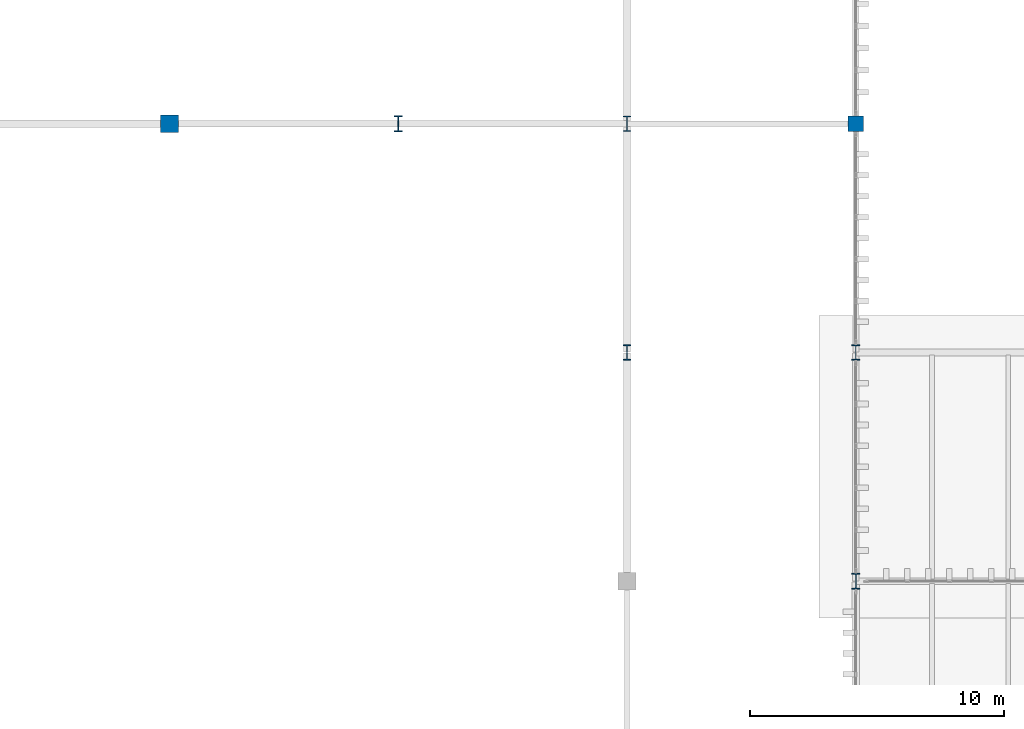
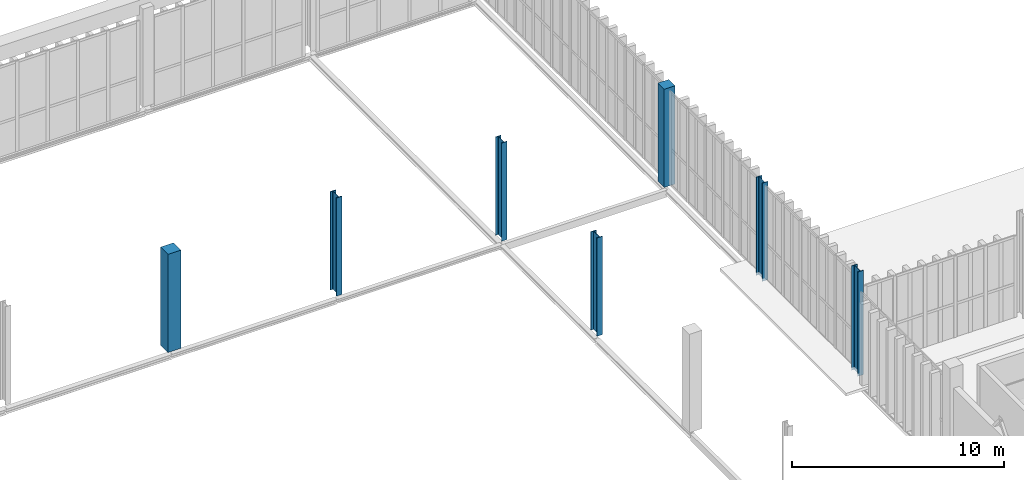
# One storey, part 12 of 237: 7 columns.
"""IFC4 building model written with IfcOpenShell, lengths in metres."""

import ifcopenshell
import ifcopenshell.guid

model = None  # the IFC model being written
_history = None  # IfcOwnerHistory: only IFC2X3 demands one
_inside = {}  # id of a spatial element -> (the spatial element, [elements in it])
_under = {}  # id of a project, library or spatial element -> (it, [spatial elements below it])
_declared = {}  # id of a project -> (the project, [libraries it declares])
_typed = {}  # id of a type object -> (the type object, [elements of that type])
_made_of = {}  # id of a material, layer set ... -> (it, [elements and type objects made of it])


def new_model(schema):
    """Start an empty IFC model of exactly this schema.

    Asked for "IFC4X3", IfcOpenShell would pick the latest addendum, in which some entities
    have other attributes; the version numbers below select the first issue.
    IFC2X3 requires an IfcOwnerHistory on every rooted entity: one is made here for all.
    """
    global model, _history
    if schema == "IFC4X3":
        model = ifcopenshell.file(schema_version=(4, 3, 0, 0))
    else:
        model = ifcopenshell.file(schema=schema)
    _inside.clear()
    _under.clear()
    _declared.clear()
    _typed.clear()
    _made_of.clear()
    _history = None
    if model.schema == "IFC2X3":
        org = make("IfcOrganization", Name="unknown")
        user = make(
            "IfcPersonAndOrganization",
            ThePerson=make("IfcPerson", FamilyName="unknown"),
            TheOrganization=org,
        )
        app = make(
            "IfcApplication",
            ApplicationDeveloper=org,
            Version="unknown",
            ApplicationFullName="unknown",
            ApplicationIdentifier="unknown",
        )
        _history = make(
            "IfcOwnerHistory",
            OwningUser=user,
            OwningApplication=app,
            ChangeAction="ADDED",
            CreationDate=0,
        )
    return model


def make(cls, **values):
    """One entity of the class cls with the attributes given. An attribute that is None is left unset."""
    return model.create_entity(
        cls, **{name: value for name, value in values.items() if value is not None}
    )


def rooted(cls, **values):
    """An entity with a GlobalId (a new one), such as an element, a storey or a relation."""
    return make(cls, GlobalId=ifcopenshell.guid.new(), OwnerHistory=_history, **values)


def si_unit(unit_type, name, prefix=None):
    """IfcSIUnit, for example si_unit("LENGTHUNIT", "METRE", prefix="MILLI")."""
    return make("IfcSIUnit", UnitType=unit_type, Prefix=prefix, Name=name)


def assignment(units):
    """IfcUnitAssignment: the units of a project."""
    return None if units is None else make("IfcUnitAssignment", Units=units)


def point(xyz):
    """IfcCartesianPoint."""
    return None if xyz is None else make("IfcCartesianPoint", Coordinates=xyz)


def direction(xyz):
    """IfcDirection."""
    return None if xyz is None else make("IfcDirection", DirectionRatios=xyz)


def frame(location, z_axis=None, x_axis=None):
    """IfcAxis2Placement3D, a coordinate frame: its origin and axes. An axis left out is left unset."""
    return make(
        "IfcAxis2Placement3D",
        Location=point(location),
        Axis=direction(z_axis),
        RefDirection=direction(x_axis),
    )


def frame_2d(location, x_axis=None):
    """IfcAxis2Placement2D, a coordinate frame in the plane: its origin and x axis."""
    return make(
        "IfcAxis2Placement2D", Location=point(location), RefDirection=direction(x_axis)
    )


def origin():
    """The frame at (0, 0, 0) with its axes left unset."""
    return frame((0.0, 0.0, 0.0))


def origin_2d():
    """The frame at (0, 0) in the plane with its x axis left unset."""
    return frame_2d((0.0, 0.0))


def place(relative_to, where):
    """IfcLocalPlacement: puts the frame where relative to a parent placement (None: the world)."""
    return make(
        "IfcLocalPlacement", PlacementRelTo=relative_to, RelativePlacement=where
    )


def context(
    kind, dimensions, precision=None, world=None, true_north=None, identifier=None
):
    """IfcGeometricRepresentationContext, for example the 3D "Model" context."""
    return make(
        "IfcGeometricRepresentationContext",
        ContextIdentifier=identifier,
        ContextType=kind,
        CoordinateSpaceDimension=dimensions,
        Precision=precision,
        WorldCoordinateSystem=world,
        TrueNorth=true_north,
    )


def subcontext(parent, identifier, kind, view, scale=None):
    """IfcGeometricRepresentationSubContext, for example "Body" below "Model"."""
    return make(
        "IfcGeometricRepresentationSubContext",
        ContextIdentifier=identifier,
        ContextType=kind,
        ParentContext=parent,
        TargetScale=scale,
        TargetView=view,
    )


def project(units=None, contexts=None):
    """IfcProject with its units and contexts."""
    return rooted(
        "IfcProject",
        Name="project",
        RepresentationContexts=contexts,
        UnitsInContext=assignment(units),
    )


def spatial(cls, under=None, at=None, **own):
    """A site, building, storey or space (cls), placed at a placement, below another one or the project."""
    s = rooted(cls, ObjectPlacement=at, **own)
    if under is not None:
        _under.setdefault(under.id(), (under, []))[1].append(s)
    return s


def profile(cls, at=None, kind="AREA", **sizes):
    """A parametric profile (cls). Its sizes go by their IFC names, for example OverallWidth=200.0."""
    return make(cls, ProfileType=kind, Position=at, **sizes)


def rectangle(**sizes):
    """IfcRectangleProfileDef."""
    return profile("IfcRectangleProfileDef", **sizes)


def i_section(**sizes):
    """IfcIShapeProfileDef."""
    return profile("IfcIShapeProfileDef", **sizes)


def extrude(swept, where, along, depth):
    """IfcExtrudedAreaSolid: the profile swept, set in the frame where, extruded along a direction by depth."""
    return make(
        "IfcExtrudedAreaSolid",
        SweptArea=swept,
        Position=where,
        ExtrudedDirection=direction(along),
        Depth=depth,
    )


def shape(context_of_items, identifier, shape_type, items):
    """IfcShapeRepresentation: the items that make up one representation, for example the "Body"."""
    return make(
        "IfcShapeRepresentation",
        ContextOfItems=context_of_items,
        RepresentationIdentifier=identifier,
        RepresentationType=shape_type,
        Items=items,
    )


def material(Name=None, Category=None):
    """IfcMaterial."""
    return make("IfcMaterial", Name=Name, Category=Category)


def material_profile(
    of_material, cross_section, Name=None, Category=None, Priority=None
):
    """IfcMaterialProfile: a cross section and its material."""
    return make(
        "IfcMaterialProfile",
        Name=Name,
        Material=of_material,
        Profile=cross_section,
        Priority=Priority,
        Category=Category,
    )


def profile_set(profiles, Name=None, composite=None):
    """IfcMaterialProfileSet."""
    return make(
        "IfcMaterialProfileSet",
        Name=Name,
        MaterialProfiles=profiles,
        CompositeProfile=composite,
    )


def made_of(thing, what):
    """Note that an element or type object is made of a material, layer set ...; save() writes the relation."""
    if what is not None:
        _made_of.setdefault(what.id(), (what, []))[1].append(thing)
    return thing


def type_object(cls, material=None, **own):
    """A type object (cls), such as IfcWallType, which elements share."""
    return made_of(rooted(cls, **own), material)


def element(
    cls,
    number,
    at=None,
    inside=None,
    cuts=None,
    type_object=None,
    material=None,
    context=None,
    identifier="Body",
    shape_type=None,
    held_by="IfcProductDefinitionShape",
    body=None,
    shapes=None,
    **own,
):
    """One element of the class cls, such as IfcWall. Its Tag is "e" and its number.

    at: its placement. inside: the storey or other place that contains it. cuts: it is an
    opening in that element (IfcRelVoidsElement). A single representation is given by context,
    identifier, shape_type and body (its items); several are given by shapes. held_by: the class
    of the entity that holds the representations. save() writes the other relations.
    """
    e = rooted(cls, Tag="e%d" % number, ObjectPlacement=at, **own)
    if body is not None:
        shapes = [shape(context, identifier, shape_type, body)]
    if shapes is not None:
        e.Representation = make(held_by, Representations=shapes)
    if inside is not None:
        _inside.setdefault(inside.id(), (inside, []))[1].append(e)
    if cuts is not None:
        rooted(
            "IfcRelVoidsElement", RelatingBuildingElement=cuts, RelatedOpeningElement=e
        )
    if type_object is not None:
        _typed.setdefault(type_object.id(), (type_object, []))[1].append(e)
    return made_of(e, material)


def aggregate(whole, parts):
    """IfcRelAggregates: a whole, such as a stair, and the parts it consists of."""
    return rooted("IfcRelAggregates", RelatingObject=whole, RelatedObjects=parts)


def save(model, path):
    """Write the relations noted so far, then the file.

    IfcRelAggregates (storeys below a building ...), IfcRelContainedInSpatialStructure (elements
    in a storey), IfcRelDefinesByType, IfcRelAssociatesMaterial and IfcRelDeclares: one each for
    every whole, place, type object, material and project.
    """
    for whole, parts in _under.values():
        aggregate(whole, parts)
    for where, things in _inside.values():
        rooted(
            "IfcRelContainedInSpatialStructure",
            RelatedElements=things,
            RelatingStructure=where,
        )
    for kind, things in _typed.values():
        rooted("IfcRelDefinesByType", RelatedObjects=things, RelatingType=kind)
    for what, things in _made_of.values():
        rooted("IfcRelAssociatesMaterial", RelatedObjects=things, RelatingMaterial=what)
    for by, libraries in _declared.values():
        rooted("IfcRelDeclares", RelatingContext=by, RelatedDefinitions=libraries)
    model.write(path)


model = new_model("IFC4")

# Units and contexts
model_context = context("Model", 3, precision=1e-05, world=origin(), true_north=direction((0.0, 1.0)))
body_context = subcontext(model_context, "Body", "Model", "MODEL_VIEW")
ifc_project = project(units=[si_unit("LENGTHUNIT", "METRE"), si_unit("AREAUNIT", "SQUARE_METRE"), si_unit("VOLUMEUNIT", "CUBIC_METRE"), si_unit("PLANEANGLEUNIT", "RADIAN"), si_unit("MASSUNIT", "GRAM", prefix="KILO")], contexts=[model_context])

# Site, building, storey
site_placement = place(None, origin())
site = spatial("IfcSite", under=ifc_project, at=site_placement, CompositionType="ELEMENT")
building_placement = place(site_placement, origin())
building = spatial("IfcBuilding", under=site, at=building_placement, Name="Barlavento Convention Centre", CompositionType="ELEMENT")
storey_placement = place(building_placement, frame((0.0, 0.0, 12.0)))
storey = spatial("IfcBuildingStorey", under=building, at=storey_placement, Name="L02", CompositionType="ELEMENT", Elevation=12.0)

# Columns
ifc_material_1 = material(Name="Steel S355", Category="steel")
ifc_material_profile_1 = material_profile(ifc_material_1, i_section(OverallWidth=0.300048828125, OverallDepth=0.60009765625, WebThickness=0.015380859375, FlangeThickness=0.030029296875, FilletRadius=0.027099609375, at=origin_2d()), Name="HEB 600")
ifc_profile_set_1 = profile_set([ifc_material_profile_1], Name="Steel S355")
column_type_1 = type_object("IfcColumnType", Name="STR-COL-HEB600", PredefinedType="COLUMN", material=ifc_profile_set_1)
for number, where, z_axis, x_axis, name in (
    (1, (117.0, 117.0, 0.0), (0.0, 0.0, 1.0), (1.0, 0.0, 0.0), "L02 column SC08"),
    (2, (126.0, 108.0, 0.0), (0.0, 0.0, 1.0), (1.0, 0.0, 0.0), "L02 column SC08"),
):
    element("IfcColumn", number, at=place(storey_placement, frame(where, z_axis=z_axis, x_axis=x_axis)), inside=storey, type_object=column_type_1, Name=name, PredefinedType="COLUMN", context=body_context, shape_type="SweptSolid", body=[
        extrude(i_section(OverallWidth=0.300048828125, OverallDepth=0.60009765625, WebThickness=0.015380859375, FlangeThickness=0.030029296875, FilletRadius=0.027099609375, at=origin_2d()), origin(), (0.0, 0.0, 1.0), 5.655029296875),
    ])
ifc_material_profile_2 = material_profile(ifc_material_1, i_section(OverallWidth=0.304931640625, OverallDepth=0.6201171875, WebThickness=0.02099609375, FlangeThickness=0.0400390625, FilletRadius=0.027099609375, at=origin_2d()), Name="HEM 600")
ifc_profile_set_2 = profile_set([ifc_material_profile_2], Name="Steel S355")
column_type_2 = type_object("IfcColumnType", Name="STR-COL-HEM600", PredefinedType="COLUMN", material=ifc_profile_set_2)
for number, where, z_axis, x_axis, name in (
    (3, (108.0, 117.0, 0.0), (0.0, 0.0, 1.0), (1.0, 0.0, 0.0), "L02 column SC05"),
    (4, (117.0, 108.0, 0.0), (0.0, 0.0, 1.0), (1.0, 0.0, 0.0), "L02 column SC05"),
):
    element("IfcColumn", number, at=place(storey_placement, frame(where, z_axis=z_axis, x_axis=x_axis)), inside=storey, type_object=column_type_2, Name=name, PredefinedType="COLUMN", context=body_context, shape_type="SweptSolid", body=[
        extrude(i_section(OverallWidth=0.304931640625, OverallDepth=0.6201171875, WebThickness=0.02099609375, FlangeThickness=0.0400390625, FilletRadius=0.027099609375, at=origin_2d()), origin(), (0.0, 0.0, 1.0), 5.655029296875),
    ])
column_1_placement = place(storey_placement, frame((126.0, 99.0, 0.0), z_axis=(0.0, 0.0, 1.0), x_axis=(1.0, 0.0, 0.0)))
element("IfcColumn", 5, at=column_1_placement, inside=storey, type_object=column_type_2, Name="L02 column SC05", PredefinedType="COLUMN", context=body_context, shape_type="SweptSolid", body=[
    extrude(i_section(OverallWidth=0.304931640625, OverallDepth=0.6201171875, WebThickness=0.02099609375, FlangeThickness=0.0400390625, FilletRadius=0.027099609375, at=origin_2d()), origin(), (0.0, 0.0, 1.0), 6.0),
])
ifc_material_2 = material(Name="Concrete C40/50", Category="concrete")
ifc_material_profile_3 = material_profile(ifc_material_2, rectangle(XDim=0.60009765625, YDim=0.60009765625, at=origin_2d()), Name="RC 600x600")
ifc_profile_set_3 = profile_set([ifc_material_profile_3], Name="Concrete C40/50")
column_type_3 = type_object("IfcColumnType", Name="STR-COL-RC600", PredefinedType="COLUMN", material=ifc_profile_set_3)
column_2_placement = place(storey_placement, frame((126.0, 117.0, 0.0), z_axis=(0.0, 0.0, 1.0), x_axis=(1.0, 0.0, 0.0)))
element("IfcColumn", 6, at=column_2_placement, inside=storey, type_object=column_type_3, Name="L02 column CC07", PredefinedType="COLUMN", context=body_context, shape_type="SweptSolid", body=[
    extrude(rectangle(XDim=0.60009765625, YDim=0.60009765625, at=origin_2d()), origin(), (0.0, 0.0, 1.0), 5.655029296875),
])
ifc_material_profile_4 = material_profile(ifc_material_2, rectangle(XDim=0.699951171875, YDim=0.699951171875, at=origin_2d()), Name="RC 700x700")
ifc_profile_set_4 = profile_set([ifc_material_profile_4], Name="Concrete C40/50")
column_type_4 = type_object("IfcColumnType", Name="STR-COL-RC700", PredefinedType="COLUMN", material=ifc_profile_set_4)
column_3_placement = place(storey_placement, frame((99.0, 117.0, 0.0), z_axis=(0.0, 0.0, 1.0), x_axis=(1.0, 0.0, 0.0)))
element("IfcColumn", 7, at=column_3_placement, inside=storey, type_object=column_type_4, Name="L02 column CC06", PredefinedType="COLUMN", context=body_context, shape_type="SweptSolid", body=[
    extrude(rectangle(XDim=0.699951171875, YDim=0.699951171875, at=origin_2d()), origin(), (0.0, 0.0, 1.0), 5.655029296875),
])

save(model, "model.ifc")
